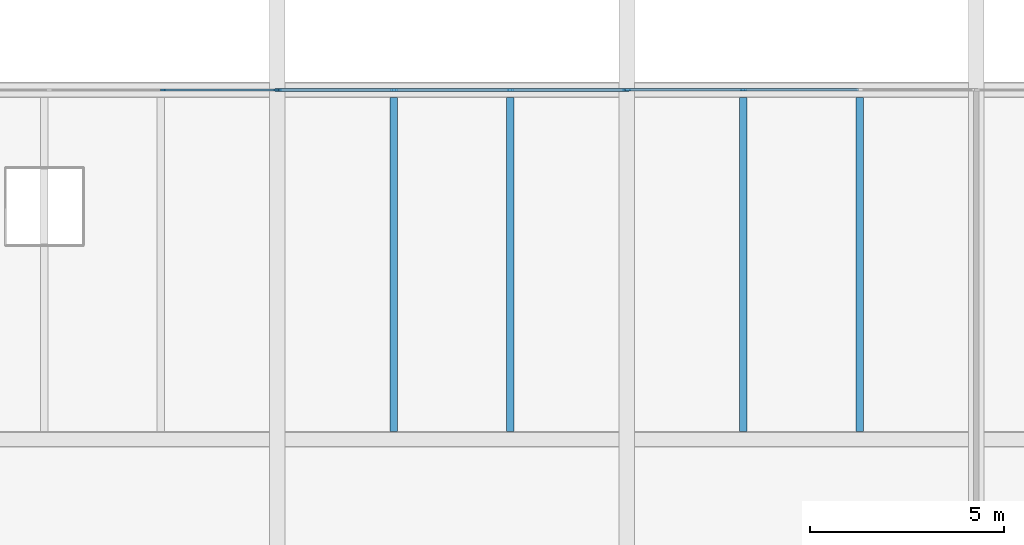
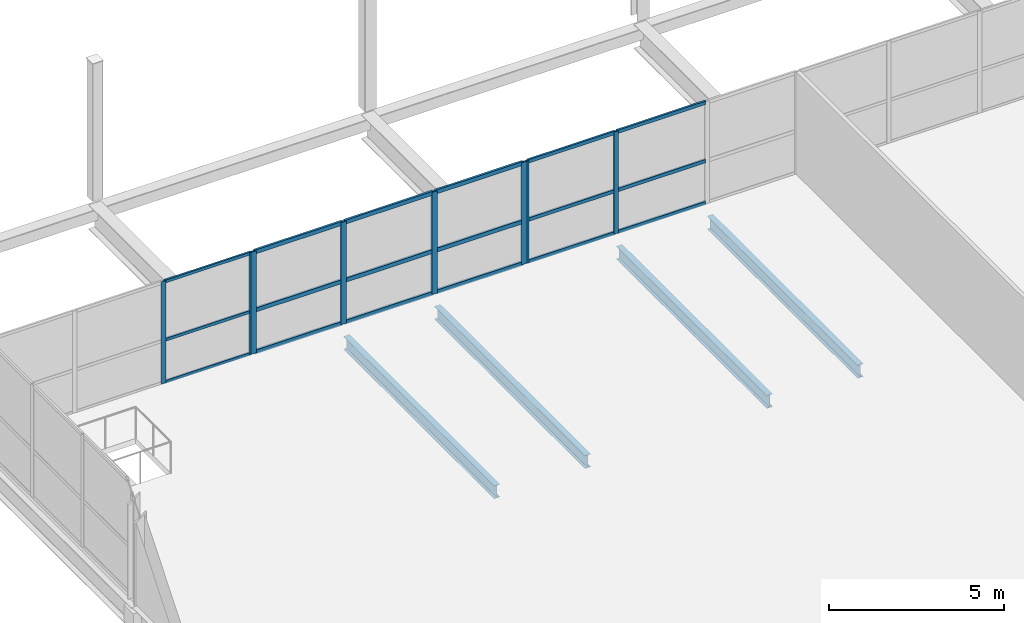
# One storey, part 32 of 69: 26 members, 4 beams, 3 elements without a shape of their own.
"""IFC4 building model written with IfcOpenShell, lengths in metres."""

from ifc_helpers import new_model, si_unit, direction, frame, origin, origin_2d, place, context, subcontext, project, spatial, rectangle, i_section, extrude, material, layer, layer_set, material_profile, profile_set, type_object, element, aggregate, save


model = new_model("IFC4")

# Units and contexts
model_context = context("Model", 3, precision=1e-05, world=origin(), true_north=direction((0.0, 1.0)))
body_context = subcontext(model_context, "Body", "Model", "MODEL_VIEW")
ifc_project = project(units=[si_unit("LENGTHUNIT", "METRE"), si_unit("AREAUNIT", "SQUARE_METRE"), si_unit("VOLUMEUNIT", "CUBIC_METRE"), si_unit("PLANEANGLEUNIT", "RADIAN"), si_unit("MASSUNIT", "GRAM", prefix="KILO")], contexts=[model_context])

# Site, building, storey
site_placement = place(None, origin())
site = spatial("IfcSite", under=ifc_project, at=site_placement, CompositionType="ELEMENT")
building_placement = place(site_placement, origin())
building = spatial("IfcBuilding", under=site, at=building_placement, Name="Qamarlyn Nura Convention Centre", CompositionType="ELEMENT")
storey_placement = place(building_placement, frame((0.0, 0.0, 15.60009765625)))
storey = spatial("IfcBuildingStorey", under=building, at=storey_placement, Name="L03", CompositionType="ELEMENT", Elevation=15.60009765625)

# Beams
ifc_material_1 = material(Name="Steel ASTM A992", Category="steel")
ifc_material_profile_1 = material_profile(ifc_material_1, i_section(OverallWidth=0.18994140625, OverallDepth=0.45703125, WebThickness=0.009033203125, FlangeThickness=0.014404296875, FilletRadius=0.012939453125, at=origin_2d()), Name="W460X74")
ifc_profile_set_1 = profile_set([ifc_material_profile_1], Name="Steel ASTM A992")
beam_type = type_object("IfcBeamType", Name="BM-JOIST-460", PredefinedType="JOIST", material=ifc_profile_set_1)
for number, where, z_axis, x_axis, name in (
    (1, (156.0, 108.199951171875, -0.528564453125), (0.0, 1.0, 0.0), (-1.0, 0.0, 0.0), "L03 secondary joist 13-14/N-P-14"),
    (2, (159.0, 108.199951171875, -0.528564453125), (0.0, 1.0, 0.0), (-1.0, 0.0, 0.0), "L03 secondary joist 13-14/N-P-15"),
    (3, (165.0, 108.199951171875, -0.528564453125), (0.0, 1.0, 0.0), (-1.0, 0.0, 0.0), "L03 secondary joist 14-15/N-P-24"),
    (4, (168.0, 108.199951171875, -0.528564453125), (0.0, 1.0, 0.0), (-1.0, 0.0, 0.0), "L03 secondary joist 14-15/N-P-25"),
):
    element("IfcBeam", number, at=place(storey_placement, frame(where, z_axis=z_axis, x_axis=x_axis)), inside=storey, type_object=beam_type, Name=name, PredefinedType="JOIST", context=body_context, shape_type="SweptSolid", body=[
        extrude(i_section(OverallWidth=0.18994140625, OverallDepth=0.45703125, WebThickness=0.009033203125, FlangeThickness=0.014404296875, FilletRadius=0.012939453125, at=origin_2d()), origin(), (0.0, 0.0, 1.0), 8.60009765625),
    ])

# Curtain wall, members
ifc_material_2 = material(Name="Double-silver low-E insulated glass", Category="glass")
ifc_layer_1 = layer(ifc_material_2, 0.179931640625, Name="CW-UNIT-130")
ifc_layer_set_1 = layer_set([ifc_layer_1], Name="Double-silver low-E insulated glass")
curtain_wall_type_1 = type_object("IfcCurtainWallType", Name="CW-UNIT-130", PredefinedType="NOTDEFINED", material=ifc_layer_set_1)
curtain_wall_1_placement = place(storey_placement, origin())
curtain_wall_1 = element("IfcCurtainWall", 5, at=curtain_wall_1_placement, inside=storey, type_object=curtain_wall_type_1, Name="L03 unitised curtain wall PLN-N1-1", PredefinedType="NOTDEFINED")
ifc_material_3 = material(Name="Champagne-anodised marine aluminium", Category="aluminium")
ifc_material_profile_2 = material_profile(ifc_material_3, rectangle(XDim=0.06005859375, YDim=0.139892578125, at=origin_2d()), Name="ALU MULLION 60x140")
ifc_profile_set_2 = profile_set([ifc_material_profile_2], Name="Champagne-anodised marine aluminium")
member_type_1 = type_object("IfcMemberType", Name="CWM-140", PredefinedType="MULLION", material=ifc_profile_set_2)
member_1_placement = place(storey_placement, frame((150.062255859375, 117.0, 0.0), z_axis=(0.0, 0.0, 1.0), x_axis=(0.0, 1.0, 0.0)))
member_1 = element("IfcMember", 6, at=member_1_placement, type_object=member_type_1, Name="CW130 mullion 3", PredefinedType="MULLION", context=body_context, shape_type="SweptSolid", body=[
    extrude(rectangle(XDim=0.06005859375, YDim=0.139892578125, at=origin_2d()), origin(), (0.0, 0.0, 1.0), 3.5634765625),
])
member_2_placement = place(storey_placement, frame((152.969970703125, 117.0, 0.0), z_axis=(0.0, 0.0, 1.0), x_axis=(0.0, 1.0, 0.0)))
member_2 = element("IfcMember", 7, at=member_2_placement, type_object=member_type_1, Name="CW130 mullion 4", PredefinedType="MULLION", context=body_context, shape_type="SweptSolid", body=[
    extrude(rectangle(XDim=0.06005859375, YDim=0.139892578125, at=origin_2d()), origin(), (0.0, 0.0, 1.0), 3.5634765625),
])

ifc_layer_2 = layer(ifc_material_2, 0.179931640625, Name="CW-UNIT-131")
ifc_layer_set_2 = layer_set([ifc_layer_2], Name="Double-silver low-E insulated glass")
curtain_wall_type_2 = type_object("IfcCurtainWallType", Name="CW-UNIT-131", PredefinedType="NOTDEFINED", material=ifc_layer_set_2)
curtain_wall_2_placement = place(storey_placement, origin())
curtain_wall_2 = element("IfcCurtainWall", 8, at=curtain_wall_2_placement, inside=storey, type_object=curtain_wall_type_2, Name="L03 unitised curtain wall PLN-N3-1", PredefinedType="NOTDEFINED")
ifc_material_profile_3 = material_profile(ifc_material_3, rectangle(XDim=0.06494140625, YDim=0.159912109375, at=origin_2d()), Name="ALU MULLION 65x160")
ifc_profile_set_3 = profile_set([ifc_material_profile_3], Name="Champagne-anodised marine aluminium")
member_type_2 = type_object("IfcMemberType", Name="CWM-160", PredefinedType="MULLION", material=ifc_profile_set_3)
member_3_placement = place(storey_placement, frame((162.032470703125, 117.0, 0.0), z_axis=(0.0, 0.0, 1.0), x_axis=(0.0, 1.0, 0.0)))
member_3 = element("IfcMember", 9, at=member_3_placement, type_object=member_type_2, Name="CW131 mullion 1", PredefinedType="MULLION", context=body_context, shape_type="SweptSolid", body=[
    extrude(rectangle(XDim=0.06494140625, YDim=0.159912109375, at=origin_2d()), origin(), (0.0, 0.0, 1.0), 3.5634765625),
])
member_4_placement = place(storey_placement, frame((165.0, 117.0, 0.0), z_axis=(0.0, 0.0, 1.0), x_axis=(0.0, 1.0, 0.0)))
member_4 = element("IfcMember", 10, at=member_4_placement, type_object=member_type_2, Name="CW131 mullion 2", PredefinedType="MULLION", context=body_context, shape_type="SweptSolid", body=[
    extrude(rectangle(XDim=0.06494140625, YDim=0.159912109375, at=origin_2d()), origin(), (0.0, 0.0, 1.0), 3.5634765625),
])

curtain_wall_3_placement = place(storey_placement, origin())
curtain_wall_3 = element("IfcCurtainWall", 11, at=curtain_wall_3_placement, inside=storey, type_object=curtain_wall_type_2, Name="L03 unitised curtain wall PLN-N2-1", PredefinedType="NOTDEFINED")
ifc_material_profile_4 = material_profile(ifc_material_3, rectangle(XDim=0.070068359375, YDim=0.179931640625, at=origin_2d()), Name="ALU MULLION 70x180")
ifc_profile_set_4 = profile_set([ifc_material_profile_4], Name="Champagne-anodised marine aluminium")
member_type_3 = type_object("IfcMemberType", Name="CWM-180", PredefinedType="MULLION", material=ifc_profile_set_4)
member_5_placement = place(storey_placement, frame((153.034912109375, 117.0, 0.0), z_axis=(0.0, 0.0, 1.0), x_axis=(0.0, 1.0, 0.0)))
member_5 = element("IfcMember", 12, at=member_5_placement, type_object=member_type_3, Name="CW131 mullion 1", PredefinedType="MULLION", context=body_context, shape_type="SweptSolid", body=[
    extrude(rectangle(XDim=0.070068359375, YDim=0.179931640625, at=origin_2d()), origin(), (0.0, 0.0, 1.0), 3.5634765625),
])
member_6_placement = place(storey_placement, frame((156.0, 117.0, 0.0), z_axis=(0.0, 0.0, 1.0), x_axis=(0.0, 1.0, 0.0)))
member_6 = element("IfcMember", 13, at=member_6_placement, type_object=member_type_3, Name="CW131 mullion 2", PredefinedType="MULLION", context=body_context, shape_type="SweptSolid", body=[
    extrude(rectangle(XDim=0.070068359375, YDim=0.179931640625, at=origin_2d()), origin(), (0.0, 0.0, 1.0), 3.5634765625),
])
member_7_placement = place(storey_placement, frame((159.0, 117.0, 0.0), z_axis=(0.0, 0.0, 1.0), x_axis=(0.0, 1.0, 0.0)))
member_7 = element("IfcMember", 14, at=member_7_placement, type_object=member_type_3, Name="CW131 mullion 3", PredefinedType="MULLION", context=body_context, shape_type="SweptSolid", body=[
    extrude(rectangle(XDim=0.070068359375, YDim=0.179931640625, at=origin_2d()), origin(), (0.0, 0.0, 1.0), 3.5634765625),
])
member_8_placement = place(storey_placement, frame((161.965087890625, 117.0, 0.0), z_axis=(0.0, 0.0, 1.0), x_axis=(0.0, 1.0, 0.0)))
member_8 = element("IfcMember", 15, at=member_8_placement, type_object=member_type_3, Name="CW131 mullion 4", PredefinedType="MULLION", context=body_context, shape_type="SweptSolid", body=[
    extrude(rectangle(XDim=0.070068359375, YDim=0.179931640625, at=origin_2d()), origin(), (0.0, 0.0, 1.0), 3.5634765625),
])

# Member
ifc_material_profile_5 = material_profile(ifc_material_3, rectangle(XDim=0.06005859375, YDim=0.10009765625, at=origin_2d()), Name="ALU TRANSOM 60x100")
ifc_profile_set_5 = profile_set([ifc_material_profile_5], Name="Champagne-anodised marine aluminium")
member_type_4 = type_object("IfcMemberType", Name="CWT-100", PredefinedType="USERDEFINED", material=ifc_profile_set_5)
member_9_placement = place(storey_placement, frame((150.09228515625, 117.0, 0.02978515625), z_axis=(1.0, 0.0, 0.0), x_axis=(0.0, 1.0, 0.0)))
member_9 = element("IfcMember", 16, at=member_9_placement, type_object=member_type_4, Name="CW130 transom 3.1", ObjectType="TRANSOM", PredefinedType="USERDEFINED", context=body_context, shape_type="SweptSolid", body=[
    extrude(rectangle(XDim=0.06005859375, YDim=0.10009765625, at=origin_2d()), origin(), (0.0, 0.0, 1.0), 2.84765625),
])

member_10_placement = place(storey_placement, frame((150.09228515625, 117.0, 1.496826171875), z_axis=(1.0, 0.0, 0.0), x_axis=(0.0, 1.0, 0.0)))
member_10 = element("IfcMember", 17, at=member_10_placement, type_object=member_type_4, Name="CW130 transom 3.2", ObjectType="TRANSOM", PredefinedType="USERDEFINED", context=body_context, shape_type="SweptSolid", body=[
    extrude(rectangle(XDim=0.06005859375, YDim=0.10009765625, at=origin_2d()), origin(), (0.0, 0.0, 1.0), 2.84765625),
])

member_11_placement = place(storey_placement, frame((150.09228515625, 117.0, 3.533447265625), z_axis=(1.0, 0.0, 0.0), x_axis=(0.0, 1.0, 0.0)))
member_11 = element("IfcMember", 18, at=member_11_placement, type_object=member_type_4, Name="CW130 transom 3.3", ObjectType="TRANSOM", PredefinedType="USERDEFINED", context=body_context, shape_type="SweptSolid", body=[
    extrude(rectangle(XDim=0.06005859375, YDim=0.10009765625, at=origin_2d()), origin(), (0.0, 0.0, 1.0), 2.84765625),
])

aggregate(curtain_wall_1, [member_1, member_2, member_9, member_10, member_11])

ifc_material_profile_6 = material_profile(ifc_material_3, rectangle(XDim=0.06494140625, YDim=0.1201171875, at=origin_2d()), Name="ALU TRANSOM 65x120")
ifc_profile_set_6 = profile_set([ifc_material_profile_6], Name="Champagne-anodised marine aluminium")
member_type_5 = type_object("IfcMemberType", Name="CWT-120", PredefinedType="USERDEFINED", material=ifc_profile_set_6)
member_12_placement = place(storey_placement, frame((162.06494140625, 117.0, 0.032470703125), z_axis=(1.0, 0.0, 0.0), x_axis=(0.0, 1.0, 0.0)))
member_12 = element("IfcMember", 19, at=member_12_placement, type_object=member_type_5, Name="CW131 transom 1.1", ObjectType="TRANSOM", PredefinedType="USERDEFINED", context=body_context, shape_type="SweptSolid", body=[
    extrude(rectangle(XDim=0.06494140625, YDim=0.1201171875, at=origin_2d()), origin(), (0.0, 0.0, 1.0), 2.902587890625),
])

member_13_placement = place(storey_placement, frame((162.06494140625, 117.0, 1.496826171875), z_axis=(1.0, 0.0, 0.0), x_axis=(0.0, 1.0, 0.0)))
member_13 = element("IfcMember", 20, at=member_13_placement, type_object=member_type_5, Name="CW131 transom 1.2", ObjectType="TRANSOM", PredefinedType="USERDEFINED", context=body_context, shape_type="SweptSolid", body=[
    extrude(rectangle(XDim=0.06494140625, YDim=0.1201171875, at=origin_2d()), origin(), (0.0, 0.0, 1.0), 2.902587890625),
])

member_14_placement = place(storey_placement, frame((162.06494140625, 117.0, 3.531005859375), z_axis=(1.0, 0.0, 0.0), x_axis=(0.0, 1.0, 0.0)))
member_14 = element("IfcMember", 21, at=member_14_placement, type_object=member_type_5, Name="CW131 transom 1.3", ObjectType="TRANSOM", PredefinedType="USERDEFINED", context=body_context, shape_type="SweptSolid", body=[
    extrude(rectangle(XDim=0.06494140625, YDim=0.1201171875, at=origin_2d()), origin(), (0.0, 0.0, 1.0), 2.902587890625),
])

member_15_placement = place(storey_placement, frame((165.032470703125, 117.0, 0.032470703125), z_axis=(1.0, 0.0, 0.0), x_axis=(0.0, 1.0, 0.0)))
member_15 = element("IfcMember", 22, at=member_15_placement, type_object=member_type_5, Name="CW131 transom 2.1", ObjectType="TRANSOM", PredefinedType="USERDEFINED", context=body_context, shape_type="SweptSolid", body=[
    extrude(rectangle(XDim=0.06494140625, YDim=0.1201171875, at=origin_2d()), origin(), (0.0, 0.0, 1.0), 2.93505859375),
])

member_16_placement = place(storey_placement, frame((165.032470703125, 117.0, 1.496826171875), z_axis=(1.0, 0.0, 0.0), x_axis=(0.0, 1.0, 0.0)))
member_16 = element("IfcMember", 23, at=member_16_placement, type_object=member_type_5, Name="CW131 transom 2.2", ObjectType="TRANSOM", PredefinedType="USERDEFINED", context=body_context, shape_type="SweptSolid", body=[
    extrude(rectangle(XDim=0.06494140625, YDim=0.1201171875, at=origin_2d()), origin(), (0.0, 0.0, 1.0), 2.93505859375),
])

member_17_placement = place(storey_placement, frame((165.032470703125, 117.0, 3.531005859375), z_axis=(1.0, 0.0, 0.0), x_axis=(0.0, 1.0, 0.0)))
member_17 = element("IfcMember", 24, at=member_17_placement, type_object=member_type_5, Name="CW131 transom 2.3", ObjectType="TRANSOM", PredefinedType="USERDEFINED", context=body_context, shape_type="SweptSolid", body=[
    extrude(rectangle(XDim=0.06494140625, YDim=0.1201171875, at=origin_2d()), origin(), (0.0, 0.0, 1.0), 2.93505859375),
])

aggregate(curtain_wall_2, [member_3, member_4, member_12, member_13, member_14, member_15, member_16, member_17])

ifc_material_profile_7 = material_profile(ifc_material_3, rectangle(XDim=0.070068359375, YDim=0.139892578125, at=origin_2d()), Name="ALU TRANSOM 70x140")
ifc_profile_set_7 = profile_set([ifc_material_profile_7], Name="Champagne-anodised marine aluminium")
member_type_6 = type_object("IfcMemberType", Name="CWT-140", PredefinedType="USERDEFINED", material=ifc_profile_set_7)
member_18_placement = place(storey_placement, frame((153.070068359375, 117.0, 0.034912109375), z_axis=(1.0, 0.0, 0.0), x_axis=(0.0, 1.0, 0.0)))
member_18 = element("IfcMember", 25, at=member_18_placement, type_object=member_type_6, Name="CW131 transom 1.1", ObjectType="TRANSOM", PredefinedType="USERDEFINED", context=body_context, shape_type="SweptSolid", body=[
    extrude(rectangle(XDim=0.070068359375, YDim=0.139892578125, at=origin_2d()), origin(), (0.0, 0.0, 1.0), 2.89501953125),
])

member_19_placement = place(storey_placement, frame((153.070068359375, 117.0, 1.496826171875), z_axis=(1.0, 0.0, 0.0), x_axis=(0.0, 1.0, 0.0)))
member_19 = element("IfcMember", 26, at=member_19_placement, type_object=member_type_6, Name="CW131 transom 1.2", ObjectType="TRANSOM", PredefinedType="USERDEFINED", context=body_context, shape_type="SweptSolid", body=[
    extrude(rectangle(XDim=0.070068359375, YDim=0.139892578125, at=origin_2d()), origin(), (0.0, 0.0, 1.0), 2.89501953125),
])

member_20_placement = place(storey_placement, frame((153.070068359375, 117.0, 3.5283203125), z_axis=(1.0, 0.0, 0.0), x_axis=(0.0, 1.0, 0.0)))
member_20 = element("IfcMember", 27, at=member_20_placement, type_object=member_type_6, Name="CW131 transom 1.3", ObjectType="TRANSOM", PredefinedType="USERDEFINED", context=body_context, shape_type="SweptSolid", body=[
    extrude(rectangle(XDim=0.070068359375, YDim=0.139892578125, at=origin_2d()), origin(), (0.0, 0.0, 1.0), 2.89501953125),
])

member_21_placement = place(storey_placement, frame((156.034912109375, 117.0, 0.034912109375), z_axis=(1.0, 0.0, 0.0), x_axis=(0.0, 1.0, 0.0)))
member_21 = element("IfcMember", 28, at=member_21_placement, type_object=member_type_6, Name="CW131 transom 2.1", ObjectType="TRANSOM", PredefinedType="USERDEFINED", context=body_context, shape_type="SweptSolid", body=[
    extrude(rectangle(XDim=0.070068359375, YDim=0.139892578125, at=origin_2d()), origin(), (0.0, 0.0, 1.0), 2.93017578125),
])

member_22_placement = place(storey_placement, frame((156.034912109375, 117.0, 1.496826171875), z_axis=(1.0, 0.0, 0.0), x_axis=(0.0, 1.0, 0.0)))
member_22 = element("IfcMember", 29, at=member_22_placement, type_object=member_type_6, Name="CW131 transom 2.2", ObjectType="TRANSOM", PredefinedType="USERDEFINED", context=body_context, shape_type="SweptSolid", body=[
    extrude(rectangle(XDim=0.070068359375, YDim=0.139892578125, at=origin_2d()), origin(), (0.0, 0.0, 1.0), 2.93017578125),
])

member_23_placement = place(storey_placement, frame((156.034912109375, 117.0, 3.5283203125), z_axis=(1.0, 0.0, 0.0), x_axis=(0.0, 1.0, 0.0)))
member_23 = element("IfcMember", 30, at=member_23_placement, type_object=member_type_6, Name="CW131 transom 2.3", ObjectType="TRANSOM", PredefinedType="USERDEFINED", context=body_context, shape_type="SweptSolid", body=[
    extrude(rectangle(XDim=0.070068359375, YDim=0.139892578125, at=origin_2d()), origin(), (0.0, 0.0, 1.0), 2.93017578125),
])

member_24_placement = place(storey_placement, frame((159.034912109375, 117.0, 0.034912109375), z_axis=(1.0, 0.0, 0.0), x_axis=(0.0, 1.0, 0.0)))
member_24 = element("IfcMember", 31, at=member_24_placement, type_object=member_type_6, Name="CW131 transom 3.1", ObjectType="TRANSOM", PredefinedType="USERDEFINED", context=body_context, shape_type="SweptSolid", body=[
    extrude(rectangle(XDim=0.070068359375, YDim=0.139892578125, at=origin_2d()), origin(), (0.0, 0.0, 1.0), 2.89501953125),
])

member_25_placement = place(storey_placement, frame((159.034912109375, 117.0, 1.496826171875), z_axis=(1.0, 0.0, 0.0), x_axis=(0.0, 1.0, 0.0)))
member_25 = element("IfcMember", 32, at=member_25_placement, type_object=member_type_6, Name="CW131 transom 3.2", ObjectType="TRANSOM", PredefinedType="USERDEFINED", context=body_context, shape_type="SweptSolid", body=[
    extrude(rectangle(XDim=0.070068359375, YDim=0.139892578125, at=origin_2d()), origin(), (0.0, 0.0, 1.0), 2.89501953125),
])

member_26_placement = place(storey_placement, frame((159.034912109375, 117.0, 3.5283203125), z_axis=(1.0, 0.0, 0.0), x_axis=(0.0, 1.0, 0.0)))
member_26 = element("IfcMember", 33, at=member_26_placement, type_object=member_type_6, Name="CW131 transom 3.3", ObjectType="TRANSOM", PredefinedType="USERDEFINED", context=body_context, shape_type="SweptSolid", body=[
    extrude(rectangle(XDim=0.070068359375, YDim=0.139892578125, at=origin_2d()), origin(), (0.0, 0.0, 1.0), 2.89501953125),
])

aggregate(curtain_wall_3, [member_5, member_6, member_7, member_8, member_18, member_19, member_20, member_21, member_22, member_23, member_24, member_25, member_26])

save(model, "model.ifc")
